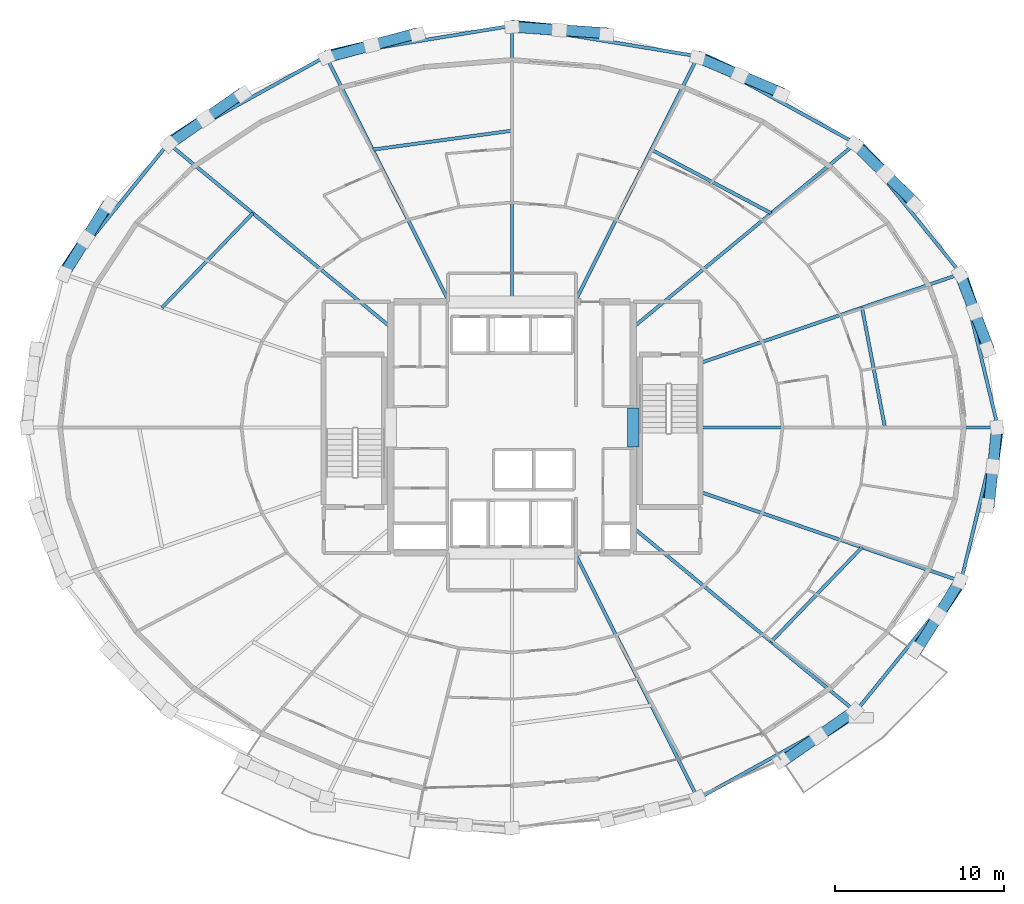
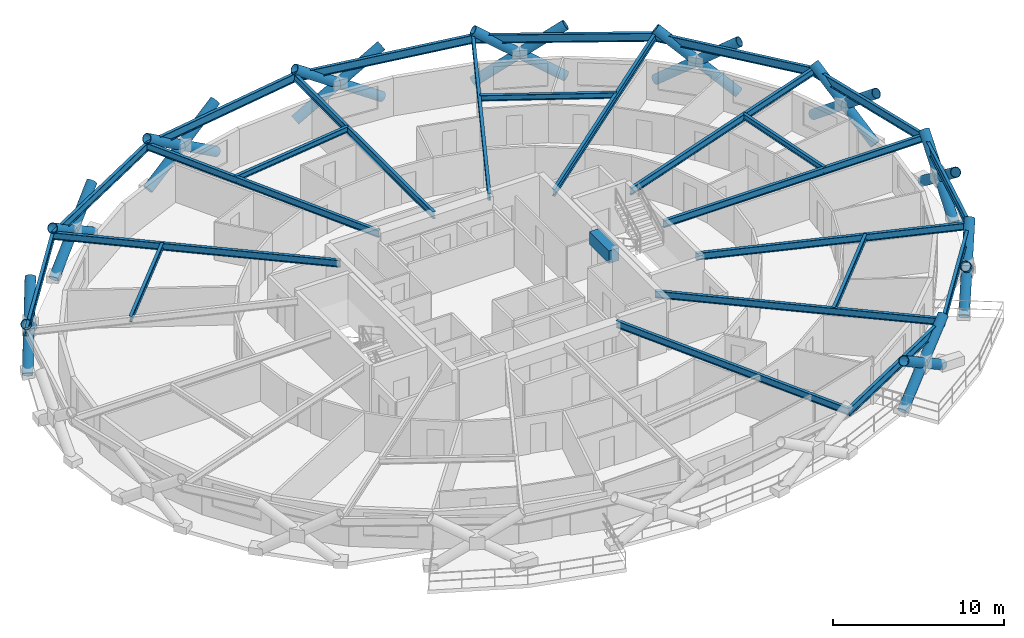
# One storey, part 5 of 14: 30 members, 26 beams.
"""IFC4 building model written with IfcOpenShell, lengths in metres."""

from ifc_helpers import new_model, si_unit, direction, frame, origin, origin_2d, place, context, subcontext, project, spatial, rectangle, hollow_circle, i_section, extrude, material, material_profile, profile_set, type_object, element, save


model = new_model("IFC4")

# Units and contexts
model_context = context("Model", 3, precision=1e-05, world=origin(), true_north=direction((0.0, 1.0)))
body_context = subcontext(model_context, "Body", "Model", "MODEL_VIEW")
ifc_project = project(units=[si_unit("LENGTHUNIT", "METRE"), si_unit("AREAUNIT", "SQUARE_METRE"), si_unit("VOLUMEUNIT", "CUBIC_METRE"), si_unit("PLANEANGLEUNIT", "RADIAN"), si_unit("MASSUNIT", "GRAM", prefix="KILO")], contexts=[model_context])

# Site, building, storey
site_placement = place(None, origin())
site = spatial("IfcSite", under=ifc_project, at=site_placement, CompositionType="ELEMENT")
building_placement = place(site_placement, origin())
building = spatial("IfcBuilding", under=site, at=building_placement, Name="Veldorina Hangang Commons", CompositionType="ELEMENT")
storey_placement = place(building_placement, frame((0.0, 0.0, 62.800048828125)))
storey = spatial("IfcBuildingStorey", under=building, at=storey_placement, Name="L15", CompositionType="ELEMENT", Elevation=62.800048828125)

# Beams
ifc_material_1 = material(Name="Concrete C70/85", Category="concrete")
ifc_material_profile_1 = material_profile(ifc_material_1, rectangle(XDim=0.699951171875, YDim=0.89990234375, at=origin_2d()), Name="RC-CB-700x900")
ifc_profile_set_1 = profile_set([ifc_material_profile_1], Name="Concrete C70/85")
beam_type_1 = type_object("IfcBeamType", Name="BM-CB900", PredefinedType="LINTEL", material=ifc_profile_set_1)
beam_1_placement = place(storey_placement, frame((39.199951171875, 22.85009765625, 2.889892578125), z_axis=(0.0, 1.0, 0.0), x_axis=(-1.0, 0.0, 0.0)))
element("IfcBeam", 1, at=beam_1_placement, inside=storey, type_object=beam_type_1, Name="L15 E core coupling lintel beam", PredefinedType="LINTEL", context=body_context, shape_type="SweptSolid", body=[
    extrude(rectangle(XDim=0.699951171875, YDim=0.89990234375, at=origin_2d()), origin(), (0.0, 0.0, 1.0), 2.2998046875),
])
ifc_material_2 = material(Name="Steel SM420-TMC", Category="steel")
ifc_material_profile_2 = material_profile(ifc_material_2, i_section(OverallWidth=0.199951171875, OverallDepth=0.5, WebThickness=0.010009765625, FlangeThickness=0.01611328125, FilletRadius=0.01611328125, at=origin_2d()), Name="H-500x200x10x16")
ifc_profile_set_2 = profile_set([ifc_material_profile_2], Name="Steel SM420-TMC")
beam_type_2 = type_object("IfcBeamType", Name="BM-FG500", PredefinedType="BEAM", material=ifc_profile_set_2)
beam_2_placement = place(storey_placement, frame((43.179931640625, 24.0, 3.08984375), z_axis=(1.0, 0.0, 0.0), x_axis=(0.0, 1.0, 0.0)))
element("IfcBeam", 2, at=beam_2_placement, inside=storey, type_object=beam_type_2, Name="L15 radial floor girder 01", PredefinedType="BEAM", context=body_context, shape_type="SweptSolid", body=[
    extrude(i_section(OverallWidth=0.199951171875, OverallDepth=0.5, WebThickness=0.010009765625, FlangeThickness=0.01611328125, FilletRadius=0.01611328125, at=origin_2d()), origin(), (0.0, 0.0, 1.0), 17.658935546875),
])
beam_3_placement = place(storey_placement, frame((43.179931640625, 27.827880859375, 3.08984375), z_axis=(0.946075227489, 0.323947007906, 0.0), x_axis=(-0.323947007906, 0.946075227489, 0.0)))
element("IfcBeam", 3, at=beam_3_placement, inside=storey, type_object=beam_type_2, Name="L15 radial floor girder 02", PredefinedType="BEAM", context=body_context, shape_type="SweptSolid", body=[
    extrude(i_section(OverallWidth=0.199951171875, OverallDepth=0.5, WebThickness=0.010009765625, FlangeThickness=0.01611328125, FilletRadius=0.01611328125, at=origin_2d()), origin(), (0.0, 0.0, 1.0), 16.344970703125),
])
beam_4_placement = place(storey_placement, frame((39.199951171875, 29.95166015625, 3.08984375), z_axis=(0.770755860835, 0.637130601202, 0.0), x_axis=(-0.637130601202, 0.770755860835, 0.0)))
element("IfcBeam", 4, at=beam_4_placement, inside=storey, type_object=beam_type_2, Name="L15 radial floor girder 03", PredefinedType="BEAM", context=body_context, shape_type="SweptSolid", body=[
    extrude(i_section(OverallWidth=0.199951171875, OverallDepth=0.5, WebThickness=0.010009765625, FlangeThickness=0.01611328125, FilletRadius=0.01611328125, at=origin_2d()), origin(), (0.0, 0.0, 1.0), 17.115966796875),
])
beam_5_placement = place(storey_placement, frame((35.733154296875, 31.449951171875, 3.08984375), z_axis=(0.447992204257, 0.89403746282, 0.0), x_axis=(-0.89403746282, 0.447992204257, 0.0)))
element("IfcBeam", 5, at=beam_5_placement, inside=storey, type_object=beam_type_2, Name="L15 radial floor girder 04", PredefinedType="BEAM", context=body_context, shape_type="SweptSolid", body=[
    extrude(i_section(OverallWidth=0.199951171875, OverallDepth=0.5, WebThickness=0.010009765625, FlangeThickness=0.01611328125, FilletRadius=0.01611328125, at=origin_2d()), origin(), (0.0, 0.0, 1.0), 16.301513671875),
])
beam_6_placement = place(storey_placement, frame((32.0, 31.449951171875, 3.08984375), z_axis=(0.0, 1.0, 0.0), x_axis=(-1.0, 0.0, 0.0)))
element("IfcBeam", 6, at=beam_6_placement, inside=storey, type_object=beam_type_2, Name="L15 radial floor girder 05", PredefinedType="BEAM", context=body_context, shape_type="SweptSolid", body=[
    extrude(i_section(OverallWidth=0.199951171875, OverallDepth=0.5, WebThickness=0.010009765625, FlangeThickness=0.01611328125, FilletRadius=0.01611328125, at=origin_2d()), origin(), (0.0, 0.0, 1.0), 16.388916015625),
])
beam_7_placement = place(storey_placement, frame((28.266845703125, 31.449951171875, 3.08984375), z_axis=(-0.447992204257, 0.89403746282, 0.0), x_axis=(-0.89403746282, -0.447992204257, 0.0)))
element("IfcBeam", 7, at=beam_7_placement, inside=storey, type_object=beam_type_2, Name="L15 radial floor girder 06", PredefinedType="BEAM", context=body_context, shape_type="SweptSolid", body=[
    extrude(i_section(OverallWidth=0.199951171875, OverallDepth=0.5, WebThickness=0.010009765625, FlangeThickness=0.01611328125, FilletRadius=0.01611328125, at=origin_2d()), origin(), (0.0, 0.0, 1.0), 16.301513671875),
])
beam_8_placement = place(storey_placement, frame((24.800048828125, 29.95166015625, 3.08984375), z_axis=(-0.770755860835, 0.637130601202, 0.0), x_axis=(-0.637130601202, -0.770755860835, 0.0)))
element("IfcBeam", 8, at=beam_8_placement, inside=storey, type_object=beam_type_2, Name="L15 radial floor girder 07", PredefinedType="BEAM", context=body_context, shape_type="SweptSolid", body=[
    extrude(i_section(OverallWidth=0.199951171875, OverallDepth=0.5, WebThickness=0.010009765625, FlangeThickness=0.01611328125, FilletRadius=0.01611328125, at=origin_2d()), origin(), (0.0, 0.0, 1.0), 17.115966796875),
])
beam_9_placement = place(storey_placement, frame((35.733154296875, 16.550048828125, 3.08984375), z_axis=(0.447992204257, -0.89403746282, 0.0), x_axis=(0.89403746282, 0.447992204257, 0.0)))
element("IfcBeam", 9, at=beam_9_placement, inside=storey, type_object=beam_type_2, Name="L15 radial floor girder 14", PredefinedType="BEAM", context=body_context, shape_type="SweptSolid", body=[
    extrude(i_section(OverallWidth=0.199951171875, OverallDepth=0.5, WebThickness=0.010009765625, FlangeThickness=0.01611328125, FilletRadius=0.01611328125, at=origin_2d()), origin(), (0.0, 0.0, 1.0), 16.301513671875),
])
beam_10_placement = place(storey_placement, frame((39.199951171875, 18.04833984375, 3.08984375), z_axis=(0.770755860835, -0.637130601202, 0.0), x_axis=(0.637130601202, 0.770755860835, 0.0)))
element("IfcBeam", 10, at=beam_10_placement, inside=storey, type_object=beam_type_2, Name="L15 radial floor girder 15", PredefinedType="BEAM", context=body_context, shape_type="SweptSolid", body=[
    extrude(i_section(OverallWidth=0.199951171875, OverallDepth=0.5, WebThickness=0.010009765625, FlangeThickness=0.01611328125, FilletRadius=0.01611328125, at=origin_2d()), origin(), (0.0, 0.0, 1.0), 17.115966796875),
])
beam_11_placement = place(storey_placement, frame((43.179931640625, 20.172119140625, 3.08984375), z_axis=(0.946075227489, -0.323947007906, 0.0), x_axis=(0.323947007906, 0.946075227489, 0.0)))
element("IfcBeam", 11, at=beam_11_placement, inside=storey, type_object=beam_type_2, Name="L15 radial floor girder 16", PredefinedType="BEAM", context=body_context, shape_type="SweptSolid", body=[
    extrude(i_section(OverallWidth=0.199951171875, OverallDepth=0.5, WebThickness=0.010009765625, FlangeThickness=0.01611328125, FilletRadius=0.01611328125, at=origin_2d()), origin(), (0.0, 0.0, 1.0), 16.344970703125),
])
ifc_material_3 = material(Name="Steel SM355-TMC", Category="steel")
ifc_material_profile_3 = material_profile(ifc_material_3, i_section(OverallWidth=0.199951171875, OverallDepth=0.39990234375, WebThickness=0.008056640625, FlangeThickness=0.012939453125, FilletRadius=0.012939453125, at=origin_2d()), Name="H-400x200x8x13")
ifc_profile_set_3 = profile_set([ifc_material_profile_3], Name="Steel SM355-TMC")
beam_type_3 = type_object("IfcBeamType", Name="BM-JST400", PredefinedType="JOIST", material=ifc_profile_set_3)
beam_12_placement = place(storey_placement, frame((54.12841796875, 24.0, 3.139892578125), z_axis=(-0.188003058159, 0.982168442846, 0.0), x_axis=(-0.982168442846, -0.188003058159, 0.0)))
element("IfcBeam", 12, at=beam_12_placement, inside=storey, type_object=beam_type_3, Name="L15 secondary floor joist 01", PredefinedType="JOIST", context=body_context, shape_type="SweptSolid", body=[
    extrude(i_section(OverallWidth=0.199951171875, OverallDepth=0.39990234375, WebThickness=0.008056640625, FlangeThickness=0.012939453125, FilletRadius=0.012939453125, at=origin_2d()), origin(), (0.0, 0.0, 1.0), 7.23974609375),
])
beam_13_placement = place(storey_placement, frame((47.379150390625, 36.712646484375, 3.139892578125), z_axis=(-0.883531267792, 0.468372179825, 0.0), x_axis=(-0.468372179825, -0.883531267792, 0.0)))
element("IfcBeam", 13, at=beam_13_placement, inside=storey, type_object=beam_type_3, Name="L15 secondary floor joist 03", PredefinedType="JOIST", context=body_context, shape_type="SweptSolid", body=[
    extrude(i_section(OverallWidth=0.199951171875, OverallDepth=0.39990234375, WebThickness=0.008056640625, FlangeThickness=0.012939453125, FilletRadius=0.012939453125, at=origin_2d()), origin(), (0.0, 0.0, 1.0), 8.056396484375),
])
beam_14_placement = place(storey_placement, frame((32.0, 41.611083984375, 3.139892578125), z_axis=(-0.990854208484, -0.134936790871, 0.0), x_axis=(0.134936790871, -0.990854208484, 0.0)))
element("IfcBeam", 14, at=beam_14_placement, inside=storey, type_object=beam_type_3, Name="L15 secondary floor joist 05", PredefinedType="JOIST", context=body_context, shape_type="SweptSolid", body=[
    extrude(i_section(OverallWidth=0.199951171875, OverallDepth=0.39990234375, WebThickness=0.008056640625, FlangeThickness=0.012939453125, FilletRadius=0.012939453125, at=origin_2d()), origin(), (0.0, 0.0, 1.0), 8.337158203125),
])
for number, where, z_axis, x_axis, name in (
    (15, (16.620849609375, 36.712646484375, 3.139892578125), (-0.693215420066, -0.720730449879, 0.0), (0.720730449879, -0.693215420066, 0.0), "L15 secondary floor joist 07"),
    (16, (47.379150390625, 11.287353515625, 3.139892578125), (0.693215420066, 0.720730449879, 0.0), (-0.720730449879, 0.693215420066, 0.0), "L15 secondary floor joist 15"),
):
    element("IfcBeam", number, at=place(storey_placement, frame(where, z_axis=z_axis, x_axis=x_axis)), inside=storey, type_object=beam_type_3, Name=name, PredefinedType="JOIST", context=body_context, shape_type="SweptSolid", body=[
        extrude(i_section(OverallWidth=0.199951171875, OverallDepth=0.39990234375, WebThickness=0.008056640625, FlangeThickness=0.012939453125, FilletRadius=0.012939453125, at=origin_2d()), origin(), (0.0, 0.0, 1.0), 7.772705078125),
    ])
ifc_material_profile_4 = material_profile(ifc_material_2, i_section(OverallWidth=0.199951171875, OverallDepth=0.60009765625, WebThickness=0.010986328125, FlangeThickness=0.01708984375, FilletRadius=0.01806640625, at=origin_2d()), Name="H-600x200x11x17")
ifc_profile_set_4 = profile_set([ifc_material_profile_4], Name="Steel SM420-TMC")
beam_type_4 = type_object("IfcBeamType", Name="BM-RB600", PredefinedType="BEAM", material=ifc_profile_set_4)
beam_15_placement = place(storey_placement, frame((60.8388671875, 24.0, 3.0400390625), z_axis=(-0.233961384196, 0.972245890043, 0.0), x_axis=(-0.972245890043, -0.233961384196, 0.0)))
element("IfcBeam", 17, at=beam_15_placement, inside=storey, type_object=beam_type_4, Name="L15 perimeter hoop ring beam 00", PredefinedType="BEAM", context=body_context, shape_type="SweptSolid", body=[
    extrude(i_section(OverallWidth=0.199951171875, OverallDepth=0.60009765625, WebThickness=0.010986328125, FlangeThickness=0.01708984375, FilletRadius=0.01806640625, at=origin_2d()), origin(), (0.0, 0.0, 1.0), 9.38330078125),
])
beam_16_placement = place(storey_placement, frame((58.6435546875, 33.122802734375, 3.0400390625), z_axis=(-0.628633070944, 0.777702039419, 0.0), x_axis=(-0.777702039419, -0.628633070944, 0.0)))
element("IfcBeam", 18, at=beam_16_placement, inside=storey, type_object=beam_type_4, Name="L15 perimeter hoop ring beam 02", PredefinedType="BEAM", context=body_context, shape_type="SweptSolid", body=[
    extrude(i_section(OverallWidth=0.199951171875, OverallDepth=0.60009765625, WebThickness=0.010986328125, FlangeThickness=0.01708984375, FilletRadius=0.01806640625, at=origin_2d()), origin(), (0.0, 0.0, 1.0), 9.944580078125),
])
beam_17_placement = place(storey_placement, frame((52.39208984375, 40.856689453125, 3.0400390625), z_axis=(-0.87535704209, 0.483477040678, 0.0), x_axis=(-0.483477040678, -0.87535704209, 0.0)))
element("IfcBeam", 19, at=beam_17_placement, inside=storey, type_object=beam_type_4, Name="L15 perimeter hoop ring beam 04", PredefinedType="BEAM", context=body_context, shape_type="SweptSolid", body=[
    extrude(i_section(OverallWidth=0.199951171875, OverallDepth=0.60009765625, WebThickness=0.010986328125, FlangeThickness=0.01708984375, FilletRadius=0.01806640625, at=origin_2d()), origin(), (0.0, 0.0, 1.0), 10.688232421875),
])
for number, where, z_axis, x_axis, name in (
    (20, (43.0361328125, 46.024169921875, 3.0400390625), (-0.986749111678, 0.162253476398, 0.0), (-0.162253476398, -0.986749111678, 0.0), "L15 perimeter hoop ring beam 06"),
    (21, (32.0, 47.8388671875, 3.0400390625), (-0.986749111678, -0.162253476398, 0.0), (0.162253476398, -0.986749111678, 0.0), "L15 perimeter hoop ring beam 08"),
):
    element("IfcBeam", number, at=place(storey_placement, frame(where, z_axis=z_axis, x_axis=x_axis)), inside=storey, type_object=beam_type_4, Name=name, PredefinedType="BEAM", context=body_context, shape_type="SweptSolid", body=[
        extrude(i_section(OverallWidth=0.199951171875, OverallDepth=0.60009765625, WebThickness=0.010986328125, FlangeThickness=0.01708984375, FilletRadius=0.01806640625, at=origin_2d()), origin(), (0.0, 0.0, 1.0), 11.184326171875),
    ])
beam_18_placement = place(storey_placement, frame((20.9638671875, 46.024169921875, 3.0400390625), z_axis=(-0.87535704209, -0.483477040678, 0.0), x_axis=(0.483477040678, -0.87535704209, 0.0)))
element("IfcBeam", 22, at=beam_18_placement, inside=storey, type_object=beam_type_4, Name="L15 perimeter hoop ring beam 10", PredefinedType="BEAM", context=body_context, shape_type="SweptSolid", body=[
    extrude(i_section(OverallWidth=0.199951171875, OverallDepth=0.60009765625, WebThickness=0.010986328125, FlangeThickness=0.01708984375, FilletRadius=0.01806640625, at=origin_2d()), origin(), (0.0, 0.0, 1.0), 10.688232421875),
])
beam_19_placement = place(storey_placement, frame((11.60791015625, 40.856689453125, 3.0400390625), z_axis=(-0.628633070944, -0.777702039419, 0.0), x_axis=(0.777702039419, -0.628633070944, 0.0)))
element("IfcBeam", 23, at=beam_19_placement, inside=storey, type_object=beam_type_4, Name="L15 perimeter hoop ring beam 12", PredefinedType="BEAM", context=body_context, shape_type="SweptSolid", body=[
    extrude(i_section(OverallWidth=0.199951171875, OverallDepth=0.60009765625, WebThickness=0.010986328125, FlangeThickness=0.01708984375, FilletRadius=0.01806640625, at=origin_2d()), origin(), (0.0, 0.0, 1.0), 9.944580078125),
])
beam_20_placement = place(storey_placement, frame((43.0361328125, 1.975830078125, 3.0400390625), z_axis=(0.87535704209, 0.483477040678, 0.0), x_axis=(-0.483477040678, 0.87535704209, 0.0)))
element("IfcBeam", 24, at=beam_20_placement, inside=storey, type_object=beam_type_4, Name="L15 perimeter hoop ring beam 26", PredefinedType="BEAM", context=body_context, shape_type="SweptSolid", body=[
    extrude(i_section(OverallWidth=0.199951171875, OverallDepth=0.60009765625, WebThickness=0.010986328125, FlangeThickness=0.01708984375, FilletRadius=0.01806640625, at=origin_2d()), origin(), (0.0, 0.0, 1.0), 10.688232421875),
])
beam_21_placement = place(storey_placement, frame((52.39208984375, 7.143310546875, 3.0400390625), z_axis=(0.628633070944, 0.777702039419, 0.0), x_axis=(-0.777702039419, 0.628633070944, 0.0)))
element("IfcBeam", 25, at=beam_21_placement, inside=storey, type_object=beam_type_4, Name="L15 perimeter hoop ring beam 28", PredefinedType="BEAM", context=body_context, shape_type="SweptSolid", body=[
    extrude(i_section(OverallWidth=0.199951171875, OverallDepth=0.60009765625, WebThickness=0.010986328125, FlangeThickness=0.01708984375, FilletRadius=0.01806640625, at=origin_2d()), origin(), (0.0, 0.0, 1.0), 9.944580078125),
])
beam_22_placement = place(storey_placement, frame((58.6435546875, 14.877197265625, 3.0400390625), z_axis=(0.233961384196, 0.972245890043, 0.0), x_axis=(-0.972245890043, 0.233961384196, 0.0)))
element("IfcBeam", 26, at=beam_22_placement, inside=storey, type_object=beam_type_4, Name="L15 perimeter hoop ring beam 30", PredefinedType="BEAM", context=body_context, shape_type="SweptSolid", body=[
    extrude(i_section(OverallWidth=0.199951171875, OverallDepth=0.60009765625, WebThickness=0.010986328125, FlangeThickness=0.01708984375, FilletRadius=0.01806640625, at=origin_2d()), origin(), (0.0, 0.0, 1.0), 9.38330078125),
])

# Members
ifc_material_4 = material(Name="Steel SM460-TMC", Category="steel")
ifc_material_profile_5 = material_profile(ifc_material_4, hollow_circle(Radius=0.324951171875, WallThickness=0.031982421875, at=origin_2d()), Name="CHS-650x32")
ifc_profile_set_5 = profile_set([ifc_material_profile_5], Name="Steel SM460-TMC")
member_type = type_object("IfcMemberType", Name="DG-CHS650", PredefinedType="BRACE", material=ifc_profile_set_5)
member_1_placement = place(storey_placement, frame((60.21728515625, 28.63720703125, 0.0), z_axis=(-0.261929087392, 0.752994952235, 0.603648701718), x_axis=(-0.94448986894, -0.328540541591, 0.0)))
element("IfcMember", 27, at=member_1_placement, inside=storey, type_object=member_type, Name="L15 continuous perimeter diagrid brace 01", PredefinedType="BRACE", context=body_context, shape_type="SweptSolid", body=[
    extrude(hollow_circle(Radius=0.324951171875, WallThickness=0.031982421875, at=origin_2d()), origin(), (0.0, 0.0, 1.0), 5.96337890625),
])
member_2_placement = place(storey_placement, frame((58.580078125, 33.096435546875, 0.0), z_axis=(0.287692239976, -0.744133345085, 0.602908566692), x_axis=(0.932719662313, 0.360602317706, 0.0)))
element("IfcMember", 28, at=member_2_placement, inside=storey, type_object=member_type, Name="L15 split perimeter diagrid lower brace 02", PredefinedType="BRACE", context=body_context, shape_type="SweptSolid", body=[
    extrude(hollow_circle(Radius=0.324951171875, WallThickness=0.031982421875, at=origin_2d()), origin(), (0.0, 0.0, 1.0), 2.980224609375),
])
member_3_placement = place(storey_placement, frame((59.4375, 30.878662109375, 1.796875), z_axis=(0.287470344707, -0.744189773361, 0.602944758779), x_axis=(0.932822371752, 0.36033654097, 0.0)))
element("IfcMember", 29, at=member_3_placement, inside=storey, type_object=member_type, Name="L15 split perimeter diagrid upper brace 02", PredefinedType="BRACE", context=body_context, shape_type="SweptSolid", body=[
    extrude(hollow_circle(Radius=0.324951171875, WallThickness=0.031982421875, at=origin_2d()), origin(), (0.0, 0.0, 1.0), 2.990234375),
])
member_4_placement = place(storey_placement, frame((55.92138671875, 37.2060546875, 0.0), z_axis=(-0.565562883328, 0.587920248159, 0.578349727074), x_axis=(-0.720676905465, -0.693271085456, 0.0)))
element("IfcMember", 30, at=member_4_placement, inside=storey, type_object=member_type, Name="L15 continuous perimeter diagrid brace 03", PredefinedType="BRACE", context=body_context, shape_type="SweptSolid", body=[
    extrude(hollow_circle(Radius=0.324951171875, WallThickness=0.031982421875, at=origin_2d()), origin(), (0.0, 0.0, 1.0), 6.224365234375),
])
member_5_placement = place(storey_placement, frame((52.343505859375, 40.80810546875, 0.0), z_axis=(0.584689929011, -0.57010600427, 0.577162742048), x_axis=(0.698121055353, 0.715979742781, 0.0)))
element("IfcMember", 31, at=member_5_placement, inside=storey, type_object=member_type, Name="L15 split perimeter diagrid lower brace 04", PredefinedType="BRACE", context=body_context, shape_type="SweptSolid", body=[
    extrude(hollow_circle(Radius=0.324951171875, WallThickness=0.031982421875, at=origin_2d()), origin(), (0.0, 0.0, 1.0), 3.11376953125),
])
member_6_placement = place(storey_placement, frame((54.1640625, 39.032958984375, 1.797119140625), z_axis=(0.584305637054, -0.570469904912, 0.577192351038), x_axis=(0.698584570705, 0.715527496029, 0.0)))
element("IfcMember", 32, at=member_6_placement, inside=storey, type_object=member_type, Name="L15 split perimeter diagrid upper brace 04", PredefinedType="BRACE", context=body_context, shape_type="SweptSolid", body=[
    extrude(hollow_circle(Radius=0.324951171875, WallThickness=0.031982421875, at=origin_2d()), origin(), (0.0, 0.0, 1.0), 3.123291015625),
])
member_7_placement = place(storey_placement, frame((47.98388671875, 43.76416015625, 0.0), z_axis=(-0.75774133314, 0.348255611225, 0.551856957283), x_axis=(-0.417603326642, -0.908629441289, 0.0)))
element("IfcMember", 33, at=member_7_placement, inside=storey, type_object=member_type, Name="L15 continuous perimeter diagrid brace 05", PredefinedType="BRACE", context=body_context, shape_type="SweptSolid", body=[
    extrude(hollow_circle(Radius=0.324951171875, WallThickness=0.031982421875, at=origin_2d()), origin(), (0.0, 0.0, 1.0), 6.523193359375),
])
member_8_placement = place(storey_placement, frame((43.009765625, 45.960693359375, 0.0), z_axis=(0.768326862602, -0.3257119137, 0.550986008423), x_axis=(0.390301092704, 0.920687274287, 0.0)))
element("IfcMember", 34, at=member_8_placement, inside=storey, type_object=member_type, Name="L15 split perimeter diagrid lower brace 06", PredefinedType="BRACE", context=body_context, shape_type="SweptSolid", body=[
    extrude(hollow_circle(Radius=0.324951171875, WallThickness=0.031982421875, at=origin_2d()), origin(), (0.0, 0.0, 1.0), 3.26220703125),
])
member_9_placement = place(storey_placement, frame((45.51611328125, 44.898193359375, 1.79736328125), z_axis=(0.768190028005, -0.325993786294, 0.551010101696), x_axis=(0.390646307808, 0.920540853084, 0.0)))
element("IfcMember", 35, at=member_9_placement, inside=storey, type_object=member_type, Name="L15 split perimeter diagrid upper brace 06", PredefinedType="BRACE", context=body_context, shape_type="SweptSolid", body=[
    extrude(hollow_circle(Radius=0.324951171875, WallThickness=0.031982421875, at=origin_2d()), origin(), (0.0, 0.0, 1.0), 3.271240234375),
])
member_10_placement = place(storey_placement, frame((37.61279296875, 47.3134765625, 0.0), z_axis=(-0.839021624712, 0.080435130964, 0.538119784966), x_axis=(-0.095430239621, -0.995436120183, 0.0)))
element("IfcMember", 36, at=member_10_placement, inside=storey, type_object=member_type, Name="L15 continuous perimeter diagrid brace 07", PredefinedType="BRACE", context=body_context, shape_type="SweptSolid", body=[
    extrude(hollow_circle(Radius=0.324951171875, WallThickness=0.031982421875, at=origin_2d()), origin(), (0.0, 0.0, 1.0), 6.689697265625),
])
member_11_placement = place(storey_placement, frame((32.0, 47.77001953125, 0.0), z_axis=(0.841104364856, -0.056263605329, 0.537938522636), x_axis=(0.066743378895, 0.997770174626, 0.0)))
element("IfcMember", 37, at=member_11_placement, inside=storey, type_object=member_type, Name="L15 split perimeter diagrid lower brace 08", PredefinedType="BRACE", context=body_context, shape_type="SweptSolid", body=[
    extrude(hollow_circle(Radius=0.324951171875, WallThickness=0.031982421875, at=origin_2d()), origin(), (0.0, 0.0, 1.0), 3.34130859375),
])
member_12_placement = place(storey_placement, frame((34.810302734375, 47.58203125, 1.79736328125), z_axis=(0.841105110386, -0.056321400756, 0.537931308904), x_axis=(0.066811574577, 0.997765610503, 0.0)))
element("IfcMember", 38, at=member_12_placement, inside=storey, type_object=member_type, Name="L15 split perimeter diagrid upper brace 08", PredefinedType="BRACE", context=body_context, shape_type="SweptSolid", body=[
    extrude(hollow_circle(Radius=0.324951171875, WallThickness=0.031982421875, at=origin_2d()), origin(), (0.0, 0.0, 1.0), 3.350830078125),
])
member_13_placement = place(storey_placement, frame((26.38720703125, 47.3134765625, 0.0), z_axis=(-0.81780787859, -0.192479474169, 0.542348527922), x_axis=(0.229100338087, -0.973402812349, 0.0)))
element("IfcMember", 39, at=member_13_placement, inside=storey, type_object=member_type, Name="L15 continuous perimeter diagrid brace 09", PredefinedType="BRACE", context=body_context, shape_type="SweptSolid", body=[
    extrude(hollow_circle(Radius=0.324951171875, WallThickness=0.031982421875, at=origin_2d()), origin(), (0.0, 0.0, 1.0), 6.637451171875),
])
member_14_placement = place(storey_placement, frame((20.990234375, 45.960693359375, 0.0), z_axis=(0.811559075533, 0.215924122959, 0.542907579652), x_axis=(-0.257116056264, 0.966380532508, 0.0)))
element("IfcMember", 40, at=member_14_placement, inside=storey, type_object=member_type, Name="L15 split perimeter diagrid lower brace 10", PredefinedType="BRACE", context=body_context, shape_type="SweptSolid", body=[
    extrude(hollow_circle(Radius=0.324951171875, WallThickness=0.031982421875, at=origin_2d()), origin(), (0.0, 0.0, 1.0), 3.310546875),
])
member_15_placement = place(storey_placement, frame((23.677001953125, 46.675537109375, 1.79736328125), z_axis=(0.811502211376, 0.21618489502, 0.542888802699), x_axis=(-0.257422855057, 0.966298853199, 0.0)))
element("IfcMember", 41, at=member_15_placement, inside=storey, type_object=member_type, Name="L15 split perimeter diagrid upper brace 10", PredefinedType="BRACE", context=body_context, shape_type="SweptSolid", body=[
    extrude(hollow_circle(Radius=0.324951171875, WallThickness=0.031982421875, at=origin_2d()), origin(), (0.0, 0.0, 1.0), 3.320068359375),
])
member_16_placement = place(storey_placement, frame((16.01611328125, 43.76416015625, 0.0), z_axis=(-0.690924994931, -0.453399240857, 0.56307351187), x_axis=(0.54863928254, -0.836059171144, 0.0)))
element("IfcMember", 42, at=member_16_placement, inside=storey, type_object=member_type, Name="L15 continuous perimeter diagrid brace 11", PredefinedType="BRACE", context=body_context, shape_type="SweptSolid", body=[
    extrude(hollow_circle(Radius=0.324951171875, WallThickness=0.031982421875, at=origin_2d()), origin(), (0.0, 0.0, 1.0), 6.393310546875),
])
member_17_placement = place(storey_placement, frame((11.656494140625, 40.80810546875, 0.0), z_axis=(0.676264050941, 0.473630081008, 0.564217581939), x_axis=(-0.573661684195, 0.819092346495, 0.0)))
element("IfcMember", 43, at=member_17_placement, inside=storey, type_object=member_type, Name="L15 split perimeter diagrid lower brace 12", PredefinedType="BRACE", context=body_context, shape_type="SweptSolid", body=[
    extrude(hollow_circle(Radius=0.324951171875, WallThickness=0.031982421875, at=origin_2d()), origin(), (0.0, 0.0, 1.0), 3.185546875),
])
member_18_placement = place(storey_placement, frame((13.810791015625, 42.31689453125, 1.79736328125), z_axis=(0.676035027197, 0.47409554066, 0.56410110825), x_axis=(-0.574170104329, 0.818736032732, 0.0)))
element("IfcMember", 44, at=member_18_placement, inside=storey, type_object=member_type, Name="L15 split perimeter diagrid upper brace 12", PredefinedType="BRACE", context=body_context, shape_type="SweptSolid", body=[
    extrude(hollow_circle(Radius=0.324951171875, WallThickness=0.031982421875, at=origin_2d()), origin(), (0.0, 0.0, 1.0), 3.1953125),
])
member_19_placement = place(storey_placement, frame((8.07861328125, 37.2060546875, 0.0), z_axis=(-0.449046813469, -0.669880962583, 0.591283735006), x_axis=(0.830640042759, -0.556809769459, 0.0)))
element("IfcMember", 45, at=member_19_placement, inside=storey, type_object=member_type, Name="L15 continuous perimeter diagrid brace 13", PredefinedType="BRACE", context=body_context, shape_type="SweptSolid", body=[
    extrude(hollow_circle(Radius=0.324951171875, WallThickness=0.031982421875, at=origin_2d()), origin(), (0.0, 0.0, 1.0), 6.088134765625),
])
member_20_placement = place(storey_placement, frame((5.419921875, 33.096435546875, 0.0), z_axis=(0.426501714296, 0.683529351175, 0.592354550742), x_axis=(-0.848390862334, 0.529370328511, 0.0)))
element("IfcMember", 46, at=member_20_placement, inside=storey, type_object=member_type, Name="L15 split perimeter diagrid lower brace 14", PredefinedType="BRACE", context=body_context, shape_type="SweptSolid", body=[
    extrude(hollow_circle(Radius=0.324951171875, WallThickness=0.031982421875, at=origin_2d()), origin(), (0.0, 0.0, 1.0), 3.033935546875),
])
member_21_placement = place(storey_placement, frame((6.7138671875, 35.170166015625, 1.797119140625), z_axis=(0.426187133474, 0.683760422687, 0.592314284505), x_axis=(-0.848646484307, 0.52896043772, 0.0)))
element("IfcMember", 47, at=member_21_placement, inside=storey, type_object=member_type, Name="L15 split perimeter diagrid upper brace 14", PredefinedType="BRACE", context=body_context, shape_type="SweptSolid", body=[
    extrude(hollow_circle(Radius=0.324951171875, WallThickness=0.031982421875, at=origin_2d()), origin(), (0.0, 0.0, 1.0), 3.04345703125),
])
member_22_placement = place(storey_placement, frame((47.98388671875, 4.23583984375, 0.0), z_axis=(0.690924994931, 0.453399240857, 0.56307351187), x_axis=(-0.54863928254, 0.836059171144, 0.0)))
element("IfcMember", 48, at=member_22_placement, inside=storey, type_object=member_type, Name="L15 continuous perimeter diagrid brace 27", PredefinedType="BRACE", context=body_context, shape_type="SweptSolid", body=[
    extrude(hollow_circle(Radius=0.324951171875, WallThickness=0.031982421875, at=origin_2d()), origin(), (0.0, 0.0, 1.0), 6.393310546875),
])
member_23_placement = place(storey_placement, frame((52.343505859375, 7.19189453125, 0.0), z_axis=(-0.676264050941, -0.473630081008, 0.564217581939), x_axis=(0.573661684195, -0.819092346495, 0.0)))
element("IfcMember", 49, at=member_23_placement, inside=storey, type_object=member_type, Name="L15 split perimeter diagrid lower brace 28", PredefinedType="BRACE", context=body_context, shape_type="SweptSolid", body=[
    extrude(hollow_circle(Radius=0.324951171875, WallThickness=0.031982421875, at=origin_2d()), origin(), (0.0, 0.0, 1.0), 3.185546875),
])
member_24_placement = place(storey_placement, frame((50.189208984375, 5.68310546875, 1.79736328125), z_axis=(-0.676035027197, -0.47409554066, 0.56410110825), x_axis=(0.574170104329, -0.818736032732, 0.0)))
element("IfcMember", 50, at=member_24_placement, inside=storey, type_object=member_type, Name="L15 split perimeter diagrid upper brace 28", PredefinedType="BRACE", context=body_context, shape_type="SweptSolid", body=[
    extrude(hollow_circle(Radius=0.324951171875, WallThickness=0.031982421875, at=origin_2d()), origin(), (0.0, 0.0, 1.0), 3.1953125),
])
member_25_placement = place(storey_placement, frame((55.92138671875, 10.7939453125, 0.0), z_axis=(0.449046813469, 0.669880962583, 0.591283735006), x_axis=(-0.830640042759, 0.556809769459, 0.0)))
element("IfcMember", 51, at=member_25_placement, inside=storey, type_object=member_type, Name="L15 continuous perimeter diagrid brace 29", PredefinedType="BRACE", context=body_context, shape_type="SweptSolid", body=[
    extrude(hollow_circle(Radius=0.324951171875, WallThickness=0.031982421875, at=origin_2d()), origin(), (0.0, 0.0, 1.0), 6.088134765625),
])
member_26_placement = place(storey_placement, frame((58.580078125, 14.903564453125, 0.0), z_axis=(-0.426501714296, -0.683529351175, 0.592354550742), x_axis=(0.848390862334, -0.529370328511, 0.0)))
element("IfcMember", 52, at=member_26_placement, inside=storey, type_object=member_type, Name="L15 split perimeter diagrid lower brace 30", PredefinedType="BRACE", context=body_context, shape_type="SweptSolid", body=[
    extrude(hollow_circle(Radius=0.324951171875, WallThickness=0.031982421875, at=origin_2d()), origin(), (0.0, 0.0, 1.0), 3.033935546875),
])
member_27_placement = place(storey_placement, frame((57.2861328125, 12.829833984375, 1.797119140625), z_axis=(-0.426187133474, -0.683760422687, 0.592314284505), x_axis=(0.848646484307, -0.52896043772, 0.0)))
element("IfcMember", 53, at=member_27_placement, inside=storey, type_object=member_type, Name="L15 split perimeter diagrid upper brace 30", PredefinedType="BRACE", context=body_context, shape_type="SweptSolid", body=[
    extrude(hollow_circle(Radius=0.324951171875, WallThickness=0.031982421875, at=origin_2d()), origin(), (0.0, 0.0, 1.0), 3.04345703125),
])
member_28_placement = place(storey_placement, frame((60.21728515625, 19.36279296875, 0.0), z_axis=(0.107419895217, 0.785347763568, 0.609663724008), x_axis=(-0.990774854361, 0.13551822005, 0.0)))
element("IfcMember", 54, at=member_28_placement, inside=storey, type_object=member_type, Name="L15 continuous perimeter diagrid brace 31", PredefinedType="BRACE", context=body_context, shape_type="SweptSolid", body=[
    extrude(hollow_circle(Radius=0.324951171875, WallThickness=0.031982421875, at=origin_2d()), origin(), (0.0, 0.0, 1.0), 5.904541015625),
])
member_29_placement = place(storey_placement, frame((60.77001953125, 24.0, 0.0), z_axis=(-0.080138833323, -0.788377167946, 0.60995016883), x_axis=(0.994873296676, -0.101129241868, 0.0)))
element("IfcMember", 55, at=member_29_placement, inside=storey, type_object=member_type, Name="L15 split perimeter diagrid lower brace 00", PredefinedType="BRACE", context=body_context, shape_type="SweptSolid", body=[
    extrude(hollow_circle(Radius=0.324951171875, WallThickness=0.031982421875, at=origin_2d()), origin(), (0.0, 0.0, 1.0), 2.946044921875),
])
member_30_placement = place(storey_placement, frame((60.533935546875, 21.677490234375, 1.796875), z_axis=(-0.080106675415, -0.788431371326, 0.609884327773), x_axis=(0.994878077674, -0.101082197061, 0.0)))
element("IfcMember", 56, at=member_30_placement, inside=storey, type_object=member_type, Name="L15 split perimeter diagrid upper brace 00", PredefinedType="BRACE", context=body_context, shape_type="SweptSolid", body=[
    extrude(hollow_circle(Radius=0.324951171875, WallThickness=0.031982421875, at=origin_2d()), origin(), (0.0, 0.0, 1.0), 2.956298828125),
])

save(model, "model.ifc")
